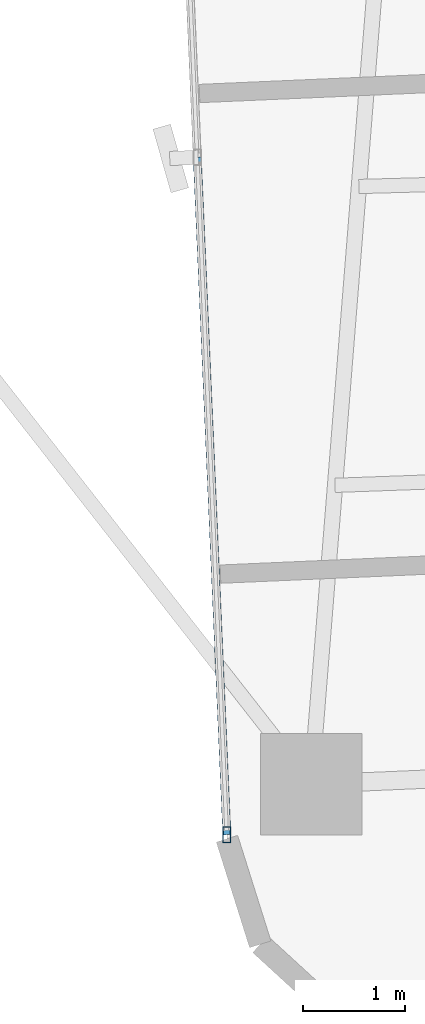
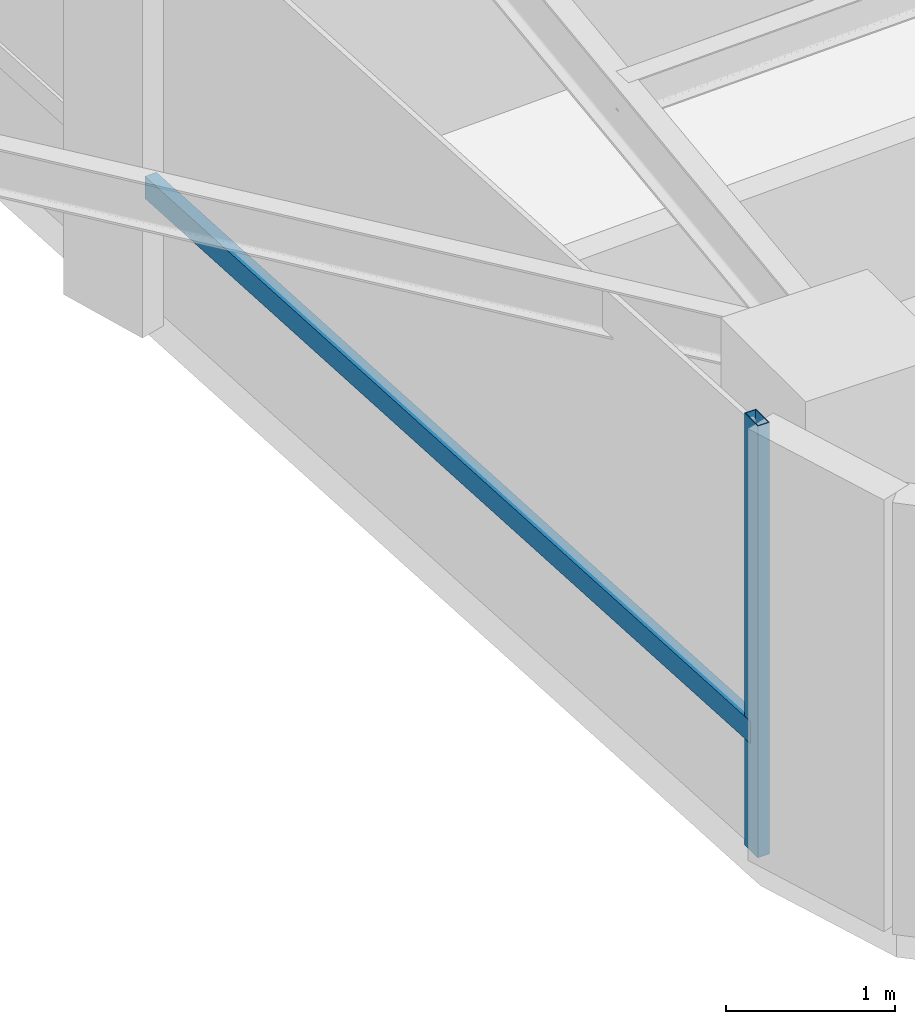
# One storey, part 2 of 27: 2 members, 1 element without a shape of its own.
"""IFC4 building model written with IfcOpenShell, lengths in metres."""

from ifc_helpers import new_model, si_unit, direction, frame, origin, origin_2d, place, context, subcontext, project, spatial, hollow_rectangle, extrude, source, transform, mapped, material, material_profile, profile_set, type_object, element, aggregate, save


model = new_model("IFC4")

# Units and contexts
model_context = context("Model", 3, precision=1e-05, world=origin(), true_north=direction((0.0, 1.0)))
body_context = subcontext(model_context, "Body", "Model", "MODEL_VIEW")
ifc_project = project(units=[si_unit("LENGTHUNIT", "METRE"), si_unit("AREAUNIT", "SQUARE_METRE"), si_unit("VOLUMEUNIT", "CUBIC_METRE"), si_unit("PLANEANGLEUNIT", "RADIAN"), si_unit("MASSUNIT", "GRAM", prefix="KILO")], contexts=[model_context])

# Site, building, storey
site_placement = place(None, origin())
site = spatial("IfcSite", under=ifc_project, at=site_placement, CompositionType="ELEMENT")
building_placement = place(site_placement, origin())
building = spatial("IfcBuilding", under=site, at=building_placement, Name="Sahyath Konkavel Grand Hotel", CompositionType="ELEMENT")
storey_placement = place(building_placement, frame((0.0, 0.0, 90.199951171875)))
storey = spatial("IfcBuildingStorey", under=building, at=storey_placement, Name="L24", CompositionType="ELEMENT", Elevation=90.199951171875)

# Curtain wall, members
ifc_material_1 = material(Name="Anodised Bronze Aluminium & Low-E Glazing", Category="aluminium")
curtain_wall_type = type_object("IfcCurtainWallType", Name="CW-ZONE2", PredefinedType="NOTDEFINED", material=ifc_material_1)
curtain_wall_placement = place(storey_placement, origin())
curtain_wall = element("IfcCurtainWall", 1, at=curtain_wall_placement, inside=storey, type_object=curtain_wall_type, Name="L24 Unitised Curtain Wall F24", PredefinedType="NOTDEFINED")
ifc_material_2 = material(Name="Anodised Bronze Aluminium", Category="aluminium")
ifc_material_profile_1 = material_profile(ifc_material_2, hollow_rectangle(XDim=0.080078125, YDim=0.159912109375, WallThickness=0.006103515625, at=origin_2d()), Name="RHS 160x80x6")
ifc_profile_set_1 = profile_set([ifc_material_profile_1], Name="Anodised Bronze Aluminium")
member_type_1 = type_object("IfcMemberType", Name="CW-MUL-160", PredefinedType="MULLION", material=ifc_profile_set_1)
shared_shape_1 = source(origin(), body_context, "Body", "SweptSolid", [
    extrude(hollow_rectangle(XDim=0.080078125, YDim=0.159912109375, WallThickness=0.006103515625, at=origin_2d()), origin(), (0.0, 0.0, 1.0), 3.110107421875),
])
member_1_placement = place(storey_placement, frame((-5.605224609375, -22.92626953125, 0.0), z_axis=(0.0, 0.0, 1.0), x_axis=(1.0, 0.0, 0.0)))
member_1 = element("IfcMember", 2, at=member_1_placement, type_object=member_type_1, Name="L24 Curtain Wall Mullion F24-2", PredefinedType="MULLION", context=body_context, shape_type="MappedRepresentation", body=[
    mapped(shared_shape_1, transform((0.0, 0.0, 0.0), scale=1.0)),
])
ifc_material_profile_2 = material_profile(ifc_material_2, hollow_rectangle(XDim=0.080078125, YDim=0.159912109375, WallThickness=0.006103515625, at=origin_2d()), Name="RHS 160x80x6")
ifc_profile_set_2 = profile_set([ifc_material_profile_2], Name="Anodised Bronze Aluminium")
member_type_2 = type_object("IfcMemberType", Name="CW-TRN-160", PredefinedType="USERDEFINED", material=ifc_profile_set_2)
shared_shape_2 = source(origin(), body_context, "Body", "SweptSolid", [
    extrude(hollow_rectangle(XDim=0.080078125, YDim=0.159912109375, WallThickness=0.006103515625, at=origin_2d()), origin(), (0.0, 0.0, 1.0), 6.659912109375),
])
member_2_placement = place(storey_placement, frame((-5.895751953125, -16.272705078125, 0.85009765625), z_axis=(0.043623350741, -0.999048048529, 0.0), x_axis=(0.999048048529, 0.043623350741, 0.0)))
member_2 = element("IfcMember", 3, at=member_2_placement, type_object=member_type_2, Name="L24 Curtain Wall Transom F24-1-spandrel", ObjectType="TRANSOM", PredefinedType="USERDEFINED", context=body_context, shape_type="MappedRepresentation", body=[
    mapped(shared_shape_2, transform((0.0, 0.0, 0.0), scale=1.0)),
])
aggregate(curtain_wall, [member_1, member_2])

save(model, "model.ifc")
